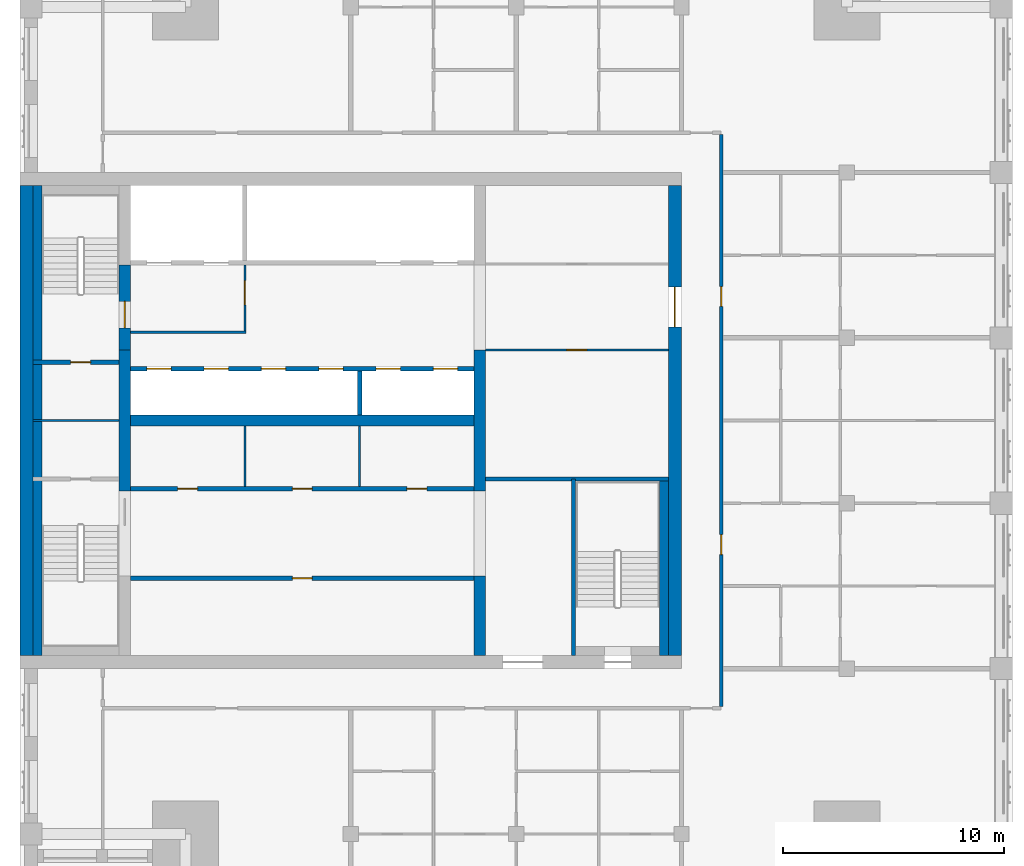
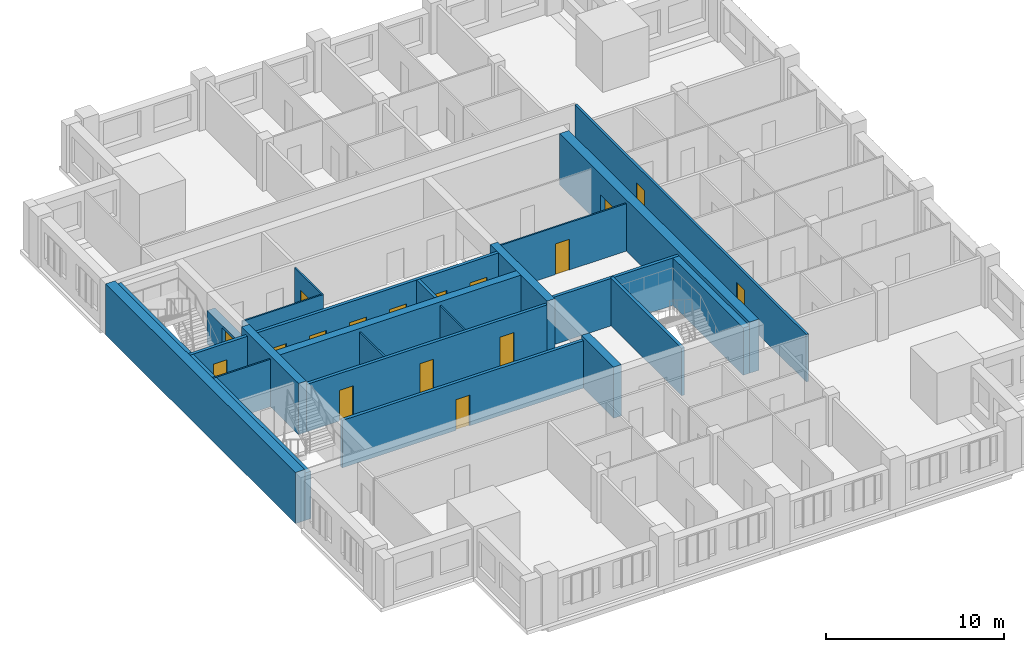
# One storey, part 4 of 10: 23 walls, 17 doors, 17 openings.
"""IFC4 building model written with IfcOpenShell, lengths in metres."""

from ifc_helpers import new_model, si_unit, direction, frame, frame_2d, origin, place, context, subcontext, project, spatial, rectangle, extrude, material, layer, layer_set, type_object, element, fill, save


model = new_model("IFC4")

# Units and contexts
model_context = context("Model", 3, precision=1e-05, world=origin(), true_north=direction((0.0, 1.0)))
body_context = subcontext(model_context, "Body", "Model", "MODEL_VIEW")
ifc_project = project(units=[si_unit("LENGTHUNIT", "METRE"), si_unit("AREAUNIT", "SQUARE_METRE"), si_unit("VOLUMEUNIT", "CUBIC_METRE"), si_unit("PLANEANGLEUNIT", "RADIAN"), si_unit("MASSUNIT", "GRAM", prefix="KILO")], contexts=[model_context])

# Site, building, storey
site_placement = place(None, origin())
site = spatial("IfcSite", under=ifc_project, at=site_placement, CompositionType="ELEMENT")
building_placement = place(site_placement, origin())
building = spatial("IfcBuilding", under=site, at=building_placement, Name="Tamorin Gate", CompositionType="ELEMENT")
storey_placement = place(building_placement, frame((0.0, 0.0, 273.199951171875)))
storey = spatial("IfcBuildingStorey", under=building, at=storey_placement, Name="L68", CompositionType="ELEMENT", Elevation=273.199951171875)

# Wall, openings, doors
ifc_material_1 = material(Name="Gypsum board partition")
ifc_layer_1 = layer(ifc_material_1, 0.14990234375)
ifc_layer_set_1 = layer_set([ifc_layer_1], Name="Corridor wall 150")
wall_type_1 = type_object("IfcWallType", Name="Corridor wall 150", PredefinedType="PARTITIONING", material=ifc_layer_set_1)
wall_1_placement = place(storey_placement, frame((61.800048828125, 58.27490234375, 0.0), z_axis=(0.0, 0.0, 1.0), x_axis=(0.0, 1.0, 0.0)))
wall_1 = element("IfcWall", 1, at=wall_1_placement, inside=storey, type_object=wall_type_1, Name="Corridor wall 150", PredefinedType="PARTITIONING", context=body_context, shape_type="SweptSolid", body=[
    extrude(rectangle(XDim=25.9501953125, YDim=0.14990234375, at=frame_2d((12.97509765625, 0.0))), origin(), (0.0, 0.0, 1.0), 3.25),
])
opening_1_placement = place(wall_1_placement, frame((6.89990234375, 0.0, 0.0)))
opening_1 = element("IfcOpeningElement", 2, at=opening_1_placement, cuts=wall_1, Name="Opening DR10030", PredefinedType="OPENING", context=body_context, shape_type="SweptSolid", body=[
    extrude(rectangle(XDim=0.89990234375, YDim=2.10009765625, at=frame_2d((0.449951171875, 1.050048828125))), frame((0.0, 0.0849609375, 0.0), z_axis=(0.0, -1.0, 0.0), x_axis=(1.0, 0.0, 0.0)), (0.0, 0.0, 1.0), 0.169921875),
])
opening_2_placement = place(wall_1_placement, frame((18.14990234375, 0.0, 0.0)))
opening_2 = element("IfcOpeningElement", 3, at=opening_2_placement, cuts=wall_1, Name="Opening DR10039", PredefinedType="OPENING", context=body_context, shape_type="SweptSolid", body=[
    extrude(rectangle(XDim=0.89990234375, YDim=2.10009765625, at=frame_2d((0.449951171875, 1.050048828125))), frame((0.0, 0.0849609375, 0.0), z_axis=(0.0, -1.0, 0.0), x_axis=(1.0, 0.0, 0.0)), (0.0, 0.0, 1.0), 0.169921875),
])
ifc_material_2 = material(Name="Timber door leaf", Category="wood")
door_type_1 = type_object("IfcDoorType", Name="Door 900 x 2100 FD30S", OperationType="NOTDEFINED", PredefinedType="DOOR", material=ifc_material_2)
door_1_placement = place(opening_1_placement, origin())
door_1 = element("IfcDoor", 4, at=door_1_placement, inside=storey, type_object=door_type_1, Name="Door DR10030", OperationType="SINGLE_SWING_RIGHT", OverallHeight=2.10009765625, OverallWidth=0.89990234375, PredefinedType="DOOR", context=body_context, shape_type="SweptSolid", body=[
    extrude(rectangle(XDim=0.89990234375, YDim=2.10009765625, at=frame_2d((0.449951171875, 1.050048828125))), frame((0.0, 0.02490234375, 0.0), z_axis=(0.0, -1.0, 0.0), x_axis=(1.0, 0.0, 0.0)), (0.0, 0.0, 1.0), 0.050048828125),
])
fill(opening_1, door_1)
door_2_placement = place(opening_2_placement, origin())
door_2 = element("IfcDoor", 5, at=door_2_placement, inside=storey, type_object=door_type_1, Name="Door DR10039", OperationType="SINGLE_SWING_RIGHT", OverallHeight=2.10009765625, OverallWidth=0.89990234375, PredefinedType="DOOR", context=body_context, shape_type="SweptSolid", body=[
    extrude(rectangle(XDim=0.89990234375, YDim=2.10009765625, at=frame_2d((0.449951171875, 1.050048828125))), frame((0.0, 0.02490234375, 0.0), z_axis=(0.0, -1.0, 0.0), x_axis=(1.0, 0.0, 0.0)), (0.0, 0.0, 1.0), 0.050048828125),
])
fill(opening_2, door_2)

ifc_material_3 = material(Name="Concrete C32/40", Category="concrete")
ifc_layer_2 = layer(ifc_material_3, 0.199951171875)
ifc_layer_set_2 = layer_set([ifc_layer_2], Name="Lift lobby face wall 200 EI 120")
wall_type_2 = type_object("IfcWallType", Name="Lift lobby face wall 200 EI 120", PredefinedType="SOLIDWALL", material=ifc_layer_set_2)
wall_2_placement = place(storey_placement, frame((35.0, 73.60009765625, 0.0), z_axis=(0.0, 0.0, 1.0), x_axis=(1.0, 0.0, 0.0)))
wall_2 = element("IfcWall", 6, at=wall_2_placement, inside=storey, type_object=wall_type_2, Name="Lift lobby face wall", PredefinedType="SOLIDWALL", context=body_context, shape_type="SweptSolid", body=[
    extrude(rectangle(XDim=15.60009765625, YDim=0.199951171875, at=frame_2d((7.800048828125, 0.0))), origin(), (0.0, 0.0, 1.0), 3.5),
])
opening_3_placement = place(wall_2_placement, frame((0.75, 0.0, 0.0)))
opening_3 = element("IfcOpeningElement", 7, at=opening_3_placement, cuts=wall_2, Name="Opening LD11", PredefinedType="OPENING", context=body_context, shape_type="SweptSolid", body=[
    extrude(rectangle(XDim=1.10009765625, YDim=2.10009765625, at=frame_2d((0.550048828125, 1.050048828125))), frame((0.0, 0.10986328125, 0.0), z_axis=(0.0, -1.0, 0.0), x_axis=(1.0, 0.0, 0.0)), (0.0, 0.0, 1.0), 0.219970703125),
])
opening_4_placement = place(wall_2_placement, frame((3.35009765625, 0.0, 0.0)))
opening_4 = element("IfcOpeningElement", 8, at=opening_4_placement, cuts=wall_2, Name="Opening LD12", PredefinedType="OPENING", context=body_context, shape_type="SweptSolid", body=[
    extrude(rectangle(XDim=1.10009765625, YDim=2.10009765625, at=frame_2d((0.550048828125, 1.050048828125))), frame((0.0, 0.10986328125, 0.0), z_axis=(0.0, -1.0, 0.0), x_axis=(1.0, 0.0, 0.0)), (0.0, 0.0, 1.0), 0.219970703125),
])
opening_5_placement = place(wall_2_placement, frame((5.949951171875, 0.0, 0.0)))
opening_5 = element("IfcOpeningElement", 9, at=opening_5_placement, cuts=wall_2, Name="Opening LD13", PredefinedType="OPENING", context=body_context, shape_type="SweptSolid", body=[
    extrude(rectangle(XDim=1.10009765625, YDim=2.10009765625, at=frame_2d((0.550048828125, 1.050048828125))), frame((0.0, 0.10986328125, 0.0), z_axis=(0.0, -1.0, 0.0), x_axis=(1.0, 0.0, 0.0)), (0.0, 0.0, 1.0), 0.219970703125),
])
opening_6_placement = place(wall_2_placement, frame((8.550048828125, 0.0, 0.0)))
opening_6 = element("IfcOpeningElement", 10, at=opening_6_placement, cuts=wall_2, Name="Opening LD14", PredefinedType="OPENING", context=body_context, shape_type="SweptSolid", body=[
    extrude(rectangle(XDim=1.10009765625, YDim=2.10009765625, at=frame_2d((0.550048828125, 1.050048828125))), frame((0.0, 0.10986328125, 0.0), z_axis=(0.0, -1.0, 0.0), x_axis=(1.0, 0.0, 0.0)), (0.0, 0.0, 1.0), 0.219970703125),
])
opening_7_placement = place(wall_2_placement, frame((11.14990234375, 0.0, 0.0)))
opening_7 = element("IfcOpeningElement", 11, at=opening_7_placement, cuts=wall_2, Name="Opening LD15", PredefinedType="OPENING", context=body_context, shape_type="SweptSolid", body=[
    extrude(rectangle(XDim=1.10009765625, YDim=2.10009765625, at=frame_2d((0.550048828125, 1.050048828125))), frame((0.0, 0.10986328125, 0.0), z_axis=(0.0, -1.0, 0.0), x_axis=(1.0, 0.0, 0.0)), (0.0, 0.0, 1.0), 0.219970703125),
])
opening_8_placement = place(wall_2_placement, frame((13.75, 0.0, 0.0)))
opening_8 = element("IfcOpeningElement", 12, at=opening_8_placement, cuts=wall_2, Name="Opening LD16", PredefinedType="OPENING", context=body_context, shape_type="SweptSolid", body=[
    extrude(rectangle(XDim=1.10009765625, YDim=2.10009765625, at=frame_2d((0.550048828125, 1.050048828125))), frame((0.0, 0.10986328125, 0.0), z_axis=(0.0, -1.0, 0.0), x_axis=(1.0, 0.0, 0.0)), (0.0, 0.0, 1.0), 0.219970703125),
])
ifc_material_4 = material(Name="Stainless steel sliding door", Category="steel")
door_type_2 = type_object("IfcDoorType", Name="Lift landing door 1100 x 2100 E 90", OperationType="DOUBLE_DOOR_SLIDING", PredefinedType="DOOR", material=ifc_material_4)
door_3_placement = place(opening_3_placement, origin())
door_3 = element("IfcDoor", 13, at=door_3_placement, inside=storey, type_object=door_type_2, Name="HR1 landing door", OperationType="DOUBLE_DOOR_SLIDING", OverallHeight=2.10009765625, OverallWidth=1.10009765625, PredefinedType="DOOR", context=body_context, shape_type="SweptSolid", body=[
    extrude(rectangle(XDim=1.10009765625, YDim=2.10009765625, at=frame_2d((0.550048828125, 1.050048828125))), frame((0.0, 0.02490234375, 0.0), z_axis=(0.0, -1.0, 0.0), x_axis=(1.0, 0.0, 0.0)), (0.0, 0.0, 1.0), 0.050048828125),
])
fill(opening_3, door_3)
door_4_placement = place(opening_4_placement, origin())
door_4 = element("IfcDoor", 14, at=door_4_placement, inside=storey, type_object=door_type_2, Name="HR2 landing door", OperationType="DOUBLE_DOOR_SLIDING", OverallHeight=2.10009765625, OverallWidth=1.10009765625, PredefinedType="DOOR", context=body_context, shape_type="SweptSolid", body=[
    extrude(rectangle(XDim=1.10009765625, YDim=2.10009765625, at=frame_2d((0.550048828125, 1.050048828125))), frame((0.0, 0.02490234375, 0.0), z_axis=(0.0, -1.0, 0.0), x_axis=(1.0, 0.0, 0.0)), (0.0, 0.0, 1.0), 0.050048828125),
])
fill(opening_4, door_4)
door_5_placement = place(opening_5_placement, origin())
door_5 = element("IfcDoor", 15, at=door_5_placement, inside=storey, type_object=door_type_2, Name="HR3 landing door", OperationType="DOUBLE_DOOR_SLIDING", OverallHeight=2.10009765625, OverallWidth=1.10009765625, PredefinedType="DOOR", context=body_context, shape_type="SweptSolid", body=[
    extrude(rectangle(XDim=1.10009765625, YDim=2.10009765625, at=frame_2d((0.550048828125, 1.050048828125))), frame((0.0, 0.02490234375, 0.0), z_axis=(0.0, -1.0, 0.0), x_axis=(1.0, 0.0, 0.0)), (0.0, 0.0, 1.0), 0.050048828125),
])
fill(opening_5, door_5)
door_6_placement = place(opening_6_placement, origin())
door_6 = element("IfcDoor", 16, at=door_6_placement, inside=storey, type_object=door_type_2, Name="HR4 landing door", OperationType="DOUBLE_DOOR_SLIDING", OverallHeight=2.10009765625, OverallWidth=1.10009765625, PredefinedType="DOOR", context=body_context, shape_type="SweptSolid", body=[
    extrude(rectangle(XDim=1.10009765625, YDim=2.10009765625, at=frame_2d((0.550048828125, 1.050048828125))), frame((0.0, 0.02490234375, 0.0), z_axis=(0.0, -1.0, 0.0), x_axis=(1.0, 0.0, 0.0)), (0.0, 0.0, 1.0), 0.050048828125),
])
fill(opening_6, door_6)
door_7_placement = place(opening_7_placement, origin())
door_7 = element("IfcDoor", 17, at=door_7_placement, inside=storey, type_object=door_type_2, Name="HR5 landing door", OperationType="DOUBLE_DOOR_SLIDING", OverallHeight=2.10009765625, OverallWidth=1.10009765625, PredefinedType="DOOR", context=body_context, shape_type="SweptSolid", body=[
    extrude(rectangle(XDim=1.10009765625, YDim=2.10009765625, at=frame_2d((0.550048828125, 1.050048828125))), frame((0.0, 0.02490234375, 0.0), z_axis=(0.0, -1.0, 0.0), x_axis=(1.0, 0.0, 0.0)), (0.0, 0.0, 1.0), 0.050048828125),
])
fill(opening_7, door_7)
door_8_placement = place(opening_8_placement, origin())
door_8 = element("IfcDoor", 18, at=door_8_placement, inside=storey, type_object=door_type_2, Name="HR6 landing door", OperationType="DOUBLE_DOOR_SLIDING", OverallHeight=2.10009765625, OverallWidth=1.10009765625, PredefinedType="DOOR", context=body_context, shape_type="SweptSolid", body=[
    extrude(rectangle(XDim=1.10009765625, YDim=2.10009765625, at=frame_2d((0.550048828125, 1.050048828125))), frame((0.0, 0.02490234375, 0.0), z_axis=(0.0, -1.0, 0.0), x_axis=(1.0, 0.0, 0.0)), (0.0, 0.0, 1.0), 0.050048828125),
])
fill(opening_8, door_8)

# Walls
ifc_layer_3 = layer(ifc_material_3, 0.199951171875)
ifc_layer_set_3 = layer_set([ifc_layer_3], Name="Lift shaft wall 200 EI 120")
wall_type_3 = type_object("IfcWallType", Name="Lift shaft wall 200 EI 120", PredefinedType="SOLIDWALL", material=ifc_layer_set_3)
wall_3_placement = place(storey_placement, frame((45.39990234375, 71.5, 0.0), z_axis=(0.0, 0.0, 1.0), x_axis=(0.0, 1.0, 0.0)))
element("IfcWall", 19, at=wall_3_placement, inside=storey, type_object=wall_type_3, Name="Lift shaft wall", PredefinedType="SOLIDWALL", context=body_context, shape_type="SweptSolid", body=[
    extrude(rectangle(XDim=2.0, YDim=0.199951171875, at=frame_2d((1.0, 0.0))), origin(), (0.0, 0.0, 1.0), 3.5),
])
ifc_material_5 = material(Name="Fire-rated gypsum board partition")
ifc_layer_4 = layer(ifc_material_5, 0.10009765625)
ifc_layer_set_4 = layer_set([ifc_layer_4], Name="Lobby wall 100 EI 60")
wall_type_4 = type_object("IfcWallType", Name="Lobby wall 100 EI 60", PredefinedType="PARTITIONING", material=ifc_layer_set_4)
wall_4_placement = place(storey_placement, frame((35.0, 75.25, 0.0), z_axis=(0.0, 0.0, 1.0), x_axis=(1.0, 0.0, 0.0)))
element("IfcWall", 20, at=wall_4_placement, inside=storey, type_object=wall_type_4, Name="Firefighting lobby wall", PredefinedType="PARTITIONING", context=body_context, shape_type="SweptSolid", body=[
    extrude(rectangle(XDim=5.25, YDim=0.10009765625, at=frame_2d((2.625, 0.0))), origin(), (0.0, 0.0, 1.0), 3.25),
])

# Wall, opening, door
wall_5_placement = place(storey_placement, frame((40.199951171875, 75.300048828125, 0.0), z_axis=(0.0, 0.0, 1.0), x_axis=(0.0, 1.0, 0.0)))
wall_5 = element("IfcWall", 21, at=wall_5_placement, inside=storey, type_object=wall_type_4, Name="Firefighting lobby wall", PredefinedType="PARTITIONING", context=body_context, shape_type="SweptSolid", body=[
    extrude(rectangle(XDim=3.0, YDim=0.10009765625, at=frame_2d((1.5, 0.0))), origin(), (0.0, 0.0, 1.0), 3.25),
])
opening_9_placement = place(wall_5_placement, frame((1.199951171875, 0.0, 0.0)))
opening_9 = element("IfcOpeningElement", 22, at=opening_9_placement, cuts=wall_5, Name="Opening DF1", PredefinedType="OPENING", context=body_context, shape_type="SweptSolid", body=[
    extrude(rectangle(XDim=1.10009765625, YDim=2.10009765625, at=frame_2d((0.550048828125, 1.050048828125))), frame((0.0, 0.06005859375, 0.0), z_axis=(0.0, -1.0, 0.0), x_axis=(1.0, 0.0, 0.0)), (0.0, 0.0, 1.0), 0.1201171875),
])
ifc_material_6 = material(Name="Steel fire door", Category="steel")
door_type_3 = type_object("IfcDoorType", Name="Firefighting lobby door 1100 x 2100 EI 90", OperationType="SINGLE_SWING_LEFT", PredefinedType="DOOR", material=ifc_material_6)
door_9_placement = place(opening_9_placement, origin())
door_9 = element("IfcDoor", 23, at=door_9_placement, inside=storey, type_object=door_type_3, Name="Firefighting lobby door", OperationType="SINGLE_SWING_LEFT", OverallHeight=2.10009765625, OverallWidth=1.10009765625, PredefinedType="DOOR", context=body_context, shape_type="SweptSolid", body=[
    extrude(rectangle(XDim=1.10009765625, YDim=2.10009765625, at=frame_2d((0.550048828125, 1.050048828125))), frame((0.0, 0.02490234375, 0.0), z_axis=(0.0, -1.0, 0.0), x_axis=(1.0, 0.0, 0.0)), (0.0, 0.0, 1.0), 0.050048828125),
])
fill(opening_9, door_9)

# Walls
ifc_material_7 = material(Name="Concrete C50/60", Category="concrete")
ifc_layer_5 = layer(ifc_material_7, 0.5)
ifc_layer_set_5 = layer_set([ifc_layer_5], Name="RC core internal wall 500 C50/60")
wall_type_5 = type_object("IfcWallType", Name="RC core internal wall 500 C50/60", PredefinedType="SHEAR", material=ifc_layer_set_5)
wall_6_placement = place(storey_placement, frame((35.0, 71.25, 0.0), z_axis=(0.0, 0.0, 1.0), x_axis=(1.0, 0.0, 0.0)))
element("IfcWall", 24, at=wall_6_placement, inside=storey, type_object=wall_type_5, Name="Core spine wall L68", PredefinedType="SHEAR", context=body_context, shape_type="SweptSolid", body=[
    extrude(rectangle(XDim=15.60009765625, YDim=0.5, at=frame_2d((7.800048828125, 0.0))), origin(), (0.0, 0.0, 1.0), 3.5),
])
wall_7_placement = place(storey_placement, frame((34.75, 68.050048828125, 0.0), z_axis=(0.0, 0.0, 1.0), x_axis=(0.0, 1.0, 0.0)))
element("IfcWall", 25, at=wall_7_placement, inside=storey, type_object=wall_type_5, Name="Core cross wall L68", PredefinedType="SHEAR", context=body_context, shape_type="SweptSolid", body=[
    extrude(rectangle(XDim=6.39990234375, YDim=0.5, at=frame_2d((3.199951171875, 0.0))), origin(), (0.0, 0.0, 1.0), 3.5),
])
wall_8_placement = place(storey_placement, frame((50.85009765625, 60.60009765625, 0.0), z_axis=(0.0, 0.0, 1.0), x_axis=(0.0, 1.0, 0.0)))
element("IfcWall", 26, at=wall_8_placement, inside=storey, type_object=wall_type_5, Name="Core cross wall L68", PredefinedType="SHEAR", context=body_context, shape_type="SweptSolid", body=[
    extrude(rectangle(XDim=3.599853515625, YDim=0.5, at=frame_2d((1.7998046875, 0.0))), origin(), (0.0, 0.0, 1.0), 3.5),
])
wall_9_placement = place(storey_placement, frame((50.85009765625, 68.050048828125, 0.0), z_axis=(0.0, 0.0, 1.0), x_axis=(0.0, 1.0, 0.0)))
element("IfcWall", 27, at=wall_9_placement, inside=storey, type_object=wall_type_5, Name="Core cross wall L68", PredefinedType="SHEAR", context=body_context, shape_type="SweptSolid", body=[
    extrude(rectangle(XDim=6.39990234375, YDim=0.5, at=frame_2d((3.199951171875, 0.0))), origin(), (0.0, 0.0, 1.0), 3.5),
])
ifc_layer_6 = layer(ifc_material_7, 0.60009765625)
ifc_layer_set_6 = layer_set([ifc_layer_6], Name="RC core wall 600 C50/60")
wall_type_6 = type_object("IfcWallType", Name="RC core wall 600 C50/60", PredefinedType="SHEAR", material=ifc_layer_set_6)
wall_10_placement = place(storey_placement, frame((30.300048828125, 60.60009765625, 0.0), z_axis=(0.0, 0.0, 1.0), x_axis=(0.0, 1.0, 0.0)))
element("IfcWall", 28, at=wall_10_placement, inside=storey, type_object=wall_type_6, Name="Core wall L68", PredefinedType="SHEAR", context=body_context, shape_type="SweptSolid", body=[
    extrude(rectangle(XDim=21.2998046875, YDim=0.60009765625, at=frame_2d((10.64990234375, 0.0))), origin(), (0.0, 0.0, 1.0), 3.5),
])

# Wall, opening, door
wall_11_placement = place(storey_placement, frame((59.699951171875, 60.60009765625, 0.0), z_axis=(0.0, 0.0, 1.0), x_axis=(0.0, 1.0, 0.0)))
wall_11 = element("IfcWall", 29, at=wall_11_placement, inside=storey, type_object=wall_type_6, Name="Core wall L68", PredefinedType="SHEAR", context=body_context, shape_type="SweptSolid", body=[
    extrude(rectangle(XDim=21.2998046875, YDim=0.60009765625, at=frame_2d((10.64990234375, 0.0))), origin(), (0.0, 0.0, 1.0), 3.5),
])
opening_10_placement = place(wall_11_placement, frame((14.89990234375, 0.0, 0.0)))
opening_10 = element("IfcOpeningElement", 30, at=opening_10_placement, cuts=wall_11, Name="Opening DE1", PredefinedType="OPENING", context=body_context, shape_type="SweptSolid", body=[
    extrude(rectangle(XDim=1.800048828125, YDim=2.10009765625, at=frame_2d((0.89990234375, 1.050048828125))), frame((0.0, 0.31005859375, 0.0), z_axis=(0.0, -1.0, 0.0), x_axis=(1.0, 0.0, 0.0)), (0.0, 0.0, 1.0), 0.6201171875),
])
door_type_4 = type_object("IfcDoorType", Name="Lobby exit double door 1800 x 2100 EI 60", OperationType="DOUBLE_DOOR_SINGLE_SWING", PredefinedType="DOOR", material=ifc_material_6)
door_10_placement = place(opening_10_placement, origin())
door_10 = element("IfcDoor", 31, at=door_10_placement, inside=storey, type_object=door_type_4, Name="Lift lobby B exit door", OperationType="DOUBLE_DOOR_SINGLE_SWING", OverallHeight=2.10009765625, OverallWidth=1.800048828125, PredefinedType="DOOR", context=body_context, shape_type="SweptSolid", body=[
    extrude(rectangle(XDim=1.800048828125, YDim=2.10009765625, at=frame_2d((0.89990234375, 1.050048828125))), frame((0.0, 0.02490234375, 0.0), z_axis=(0.0, -1.0, 0.0), x_axis=(1.0, 0.0, 0.0)), (0.0, 0.0, 1.0), 0.050048828125),
])
fill(opening_10, door_10)

# Wall
ifc_layer_7 = layer(ifc_material_5, 0.10009765625)
ifc_layer_set_7 = layer_set([ifc_layer_7], Name="Riser partition 100 EI 120")
wall_type_7 = type_object("IfcWallType", Name="Riser partition 100 EI 120", PredefinedType="PARTITIONING", material=ifc_layer_set_7)
wall_12_placement = place(storey_placement, frame((30.60009765625, 71.25, 0.0), z_axis=(0.0, 0.0, 1.0), x_axis=(1.0, 0.0, 0.0)))
element("IfcWall", 32, at=wall_12_placement, inside=storey, type_object=wall_type_7, Name="Riser partition", PredefinedType="PARTITIONING", context=body_context, shape_type="SweptSolid", body=[
    extrude(rectangle(XDim=3.89990234375, YDim=0.10009765625, at=frame_2d((1.949951171875, 0.0))), origin(), (0.0, 0.0, 1.0), 3.25),
])

# Wall, opening, door
ifc_layer_8 = layer(ifc_material_1, 0.199951171875)
ifc_layer_set_8 = layer_set([ifc_layer_8], Name="Service room face wall 200 EI 60")
wall_type_8 = type_object("IfcWallType", Name="Service room face wall 200 EI 60", PredefinedType="PARTITIONING", material=ifc_layer_set_8)
wall_13_placement = place(storey_placement, frame((35.0, 64.10009765625, 0.0), z_axis=(0.0, 0.0, 1.0), x_axis=(1.0, 0.0, 0.0)))
wall_13 = element("IfcWall", 33, at=wall_13_placement, inside=storey, type_object=wall_type_8, Name="Service room face wall", PredefinedType="PARTITIONING", context=body_context, shape_type="SweptSolid", body=[
    extrude(rectangle(XDim=15.60009765625, YDim=0.199951171875, at=frame_2d((7.800048828125, 0.0))), origin(), (0.0, 0.0, 1.0), 3.25),
])
opening_11_placement = place(wall_13_placement, frame((7.35009765625, 0.0, 0.0)))
opening_11 = element("IfcOpeningElement", 34, at=opening_11_placement, cuts=wall_13, Name="Opening DK1", PredefinedType="OPENING", context=body_context, shape_type="SweptSolid", body=[
    extrude(rectangle(XDim=0.89990234375, YDim=2.10009765625, at=frame_2d((0.449951171875, 1.050048828125))), frame((0.0, 0.10986328125, 0.0), z_axis=(0.0, -1.0, 0.0), x_axis=(1.0, 0.0, 0.0)), (0.0, 0.0, 1.0), 0.219970703125),
])
ifc_material_8 = material(Name="Timber fire door", Category="wood")
door_type_5 = type_object("IfcDoorType", Name="Service room door 900 x 2100 EI 60", OperationType="SINGLE_SWING_LEFT", PredefinedType="DOOR", material=ifc_material_8)
door_11_placement = place(opening_11_placement, origin())
door_11 = element("IfcDoor", 35, at=door_11_placement, inside=storey, type_object=door_type_5, Name="Door Club storage room", OperationType="SINGLE_SWING_RIGHT", OverallHeight=2.10009765625, OverallWidth=0.89990234375, PredefinedType="DOOR", context=body_context, shape_type="SweptSolid", body=[
    extrude(rectangle(XDim=0.89990234375, YDim=2.10009765625, at=frame_2d((0.449951171875, 1.050048828125))), frame((0.0, 0.02490234375, 0.0), z_axis=(0.0, -1.0, 0.0), x_axis=(1.0, 0.0, 0.0)), (0.0, 0.0, 1.0), 0.050048828125),
])
fill(opening_11, door_11)

# Wall, openings, doors
wall_14_placement = place(storey_placement, frame((35.0, 68.14990234375, 0.0), z_axis=(0.0, 0.0, 1.0), x_axis=(1.0, 0.0, 0.0)))
wall_14 = element("IfcWall", 36, at=wall_14_placement, inside=storey, type_object=wall_type_8, Name="Service room face wall", PredefinedType="PARTITIONING", context=body_context, shape_type="SweptSolid", body=[
    extrude(rectangle(XDim=15.60009765625, YDim=0.199951171875, at=frame_2d((7.800048828125, 0.0))), origin(), (0.0, 0.0, 1.0), 3.25),
])
opening_12_placement = place(wall_14_placement, frame((2.14990234375, 0.0, 0.0)))
opening_12 = element("IfcOpeningElement", 37, at=opening_12_placement, cuts=wall_14, Name="Opening DK1", PredefinedType="OPENING", context=body_context, shape_type="SweptSolid", body=[
    extrude(rectangle(XDim=0.89990234375, YDim=2.10009765625, at=frame_2d((0.449951171875, 1.050048828125))), frame((0.0, 0.10986328125, 0.0), z_axis=(0.0, -1.0, 0.0), x_axis=(1.0, 0.0, 0.0)), (0.0, 0.0, 1.0), 0.219970703125),
])
opening_13_placement = place(wall_14_placement, frame((7.35009765625, 0.0, 0.0)))
opening_13 = element("IfcOpeningElement", 38, at=opening_13_placement, cuts=wall_14, Name="Opening DK1", PredefinedType="OPENING", context=body_context, shape_type="SweptSolid", body=[
    extrude(rectangle(XDim=0.89990234375, YDim=2.10009765625, at=frame_2d((0.449951171875, 1.050048828125))), frame((0.0, 0.10986328125, 0.0), z_axis=(0.0, -1.0, 0.0), x_axis=(1.0, 0.0, 0.0)), (0.0, 0.0, 1.0), 0.219970703125),
])
opening_14_placement = place(wall_14_placement, frame((12.550048828125, 0.0, 0.0)))
opening_14 = element("IfcOpeningElement", 39, at=opening_14_placement, cuts=wall_14, Name="Opening DK1", PredefinedType="OPENING", context=body_context, shape_type="SweptSolid", body=[
    extrude(rectangle(XDim=0.89990234375, YDim=2.10009765625, at=frame_2d((0.449951171875, 1.050048828125))), frame((0.0, 0.10986328125, 0.0), z_axis=(0.0, -1.0, 0.0), x_axis=(1.0, 0.0, 0.0)), (0.0, 0.0, 1.0), 0.219970703125),
])
door_12_placement = place(opening_12_placement, origin())
door_12 = element("IfcDoor", 40, at=door_12_placement, inside=storey, type_object=door_type_5, Name="Door Pantry", OperationType="SINGLE_SWING_RIGHT", OverallHeight=2.10009765625, OverallWidth=0.89990234375, PredefinedType="DOOR", context=body_context, shape_type="SweptSolid", body=[
    extrude(rectangle(XDim=0.89990234375, YDim=2.10009765625, at=frame_2d((0.449951171875, 1.050048828125))), frame((0.0, 0.02490234375, 0.0), z_axis=(0.0, -1.0, 0.0), x_axis=(1.0, 0.0, 0.0)), (0.0, 0.0, 1.0), 0.050048828125),
])
fill(opening_12, door_12)
door_13_placement = place(opening_13_placement, origin())
door_13 = element("IfcDoor", 41, at=door_13_placement, inside=storey, type_object=door_type_5, Name="Door Club store", OperationType="SINGLE_SWING_LEFT", OverallHeight=2.10009765625, OverallWidth=0.89990234375, PredefinedType="DOOR", context=body_context, shape_type="SweptSolid", body=[
    extrude(rectangle(XDim=0.89990234375, YDim=2.10009765625, at=frame_2d((0.449951171875, 1.050048828125))), frame((0.0, 0.02490234375, 0.0), z_axis=(0.0, -1.0, 0.0), x_axis=(1.0, 0.0, 0.0)), (0.0, 0.0, 1.0), 0.050048828125),
])
fill(opening_13, door_13)
door_14_placement = place(opening_14_placement, origin())
door_14 = element("IfcDoor", 42, at=door_14_placement, inside=storey, type_object=door_type_5, Name="Door IT room", OperationType="SINGLE_SWING_RIGHT", OverallHeight=2.10009765625, OverallWidth=0.89990234375, PredefinedType="DOOR", context=body_context, shape_type="SweptSolid", body=[
    extrude(rectangle(XDim=0.89990234375, YDim=2.10009765625, at=frame_2d((0.449951171875, 1.050048828125))), frame((0.0, 0.02490234375, 0.0), z_axis=(0.0, -1.0, 0.0), x_axis=(1.0, 0.0, 0.0)), (0.0, 0.0, 1.0), 0.050048828125),
])
fill(opening_14, door_14)

# Walls
ifc_layer_9 = layer(ifc_material_1, 0.10009765625)
ifc_layer_set_9 = layer_set([ifc_layer_9], Name="Service room partition 100 EI 60")
wall_type_9 = type_object("IfcWallType", Name="Service room partition 100 EI 60", PredefinedType="PARTITIONING", material=ifc_layer_set_9)
for number, where, z_axis, x_axis, name in (
    (43, (40.199951171875, 68.25, 0.0), (0.0, 0.0, 1.0), (0.0, 1.0, 0.0), "Service room partition"),
    (44, (45.39990234375, 68.25, 0.0), (0.0, 0.0, 1.0), (0.0, 1.0, 0.0), "Service room partition"),
):
    element("IfcWall", number, at=place(storey_placement, frame(where, z_axis=z_axis, x_axis=x_axis)), inside=storey, type_object=wall_type_9, Name=name, PredefinedType="PARTITIONING", context=body_context, shape_type="SweptSolid", body=[
        extrude(rectangle(XDim=2.75, YDim=0.10009765625, at=frame_2d((1.375, 0.0))), origin(), (0.0, 0.0, 1.0), 3.25),
    ])

# Wall, opening, door
wall_15_placement = place(storey_placement, frame((51.10009765625, 74.449951171875, 0.0), z_axis=(0.0, 0.0, 1.0), x_axis=(1.0, 0.0, 0.0)))
wall_15 = element("IfcWall", 45, at=wall_15_placement, inside=storey, type_object=wall_type_9, Name="Service room wall", PredefinedType="PARTITIONING", context=body_context, shape_type="SweptSolid", body=[
    extrude(rectangle(XDim=8.2998046875, YDim=0.10009765625, at=frame_2d((4.14990234375, 0.0))), origin(), (0.0, 0.0, 1.0), 3.25),
])
opening_15_placement = place(wall_15_placement, frame((3.699951171875, 0.0, 0.0)))
opening_15 = element("IfcOpeningElement", 46, at=opening_15_placement, cuts=wall_15, Name="Opening DR1", PredefinedType="OPENING", context=body_context, shape_type="SweptSolid", body=[
    extrude(rectangle(XDim=0.89990234375, YDim=2.10009765625, at=frame_2d((0.449951171875, 1.050048828125))), frame((0.0, 0.06005859375, 0.0), z_axis=(0.0, -1.0, 0.0), x_axis=(1.0, 0.0, 0.0)), (0.0, 0.0, 1.0), 0.1201171875),
])
door_type_6 = type_object("IfcDoorType", Name="Riser access door 900 x 2100 EI 120", OperationType="SINGLE_SWING_LEFT", PredefinedType="DOOR", material=ifc_material_6)
door_15_placement = place(opening_15_placement, origin())
door_15 = element("IfcDoor", 47, at=door_15_placement, inside=storey, type_object=door_type_6, Name="Duct riser door", OperationType="SINGLE_SWING_RIGHT", OverallHeight=2.10009765625, OverallWidth=0.89990234375, PredefinedType="DOOR", context=body_context, shape_type="SweptSolid", body=[
    extrude(rectangle(XDim=0.89990234375, YDim=2.10009765625, at=frame_2d((0.449951171875, 1.050048828125))), frame((0.0, 0.02490234375, 0.0), z_axis=(0.0, -1.0, 0.0), x_axis=(1.0, 0.0, 0.0)), (0.0, 0.0, 1.0), 0.050048828125),
])
fill(opening_15, door_15)

ifc_material_9 = material(Name="Concrete C40/50", Category="concrete")
ifc_layer_10 = layer(ifc_material_9, 0.199951171875)
ifc_layer_set_10 = layer_set([ifc_layer_10], Name="Stair enclosure wall 200 EI 120 C40/50")
wall_type_10 = type_object("IfcWallType", Name="Stair enclosure wall 200 EI 120 C40/50", PredefinedType="SOLIDWALL", material=ifc_layer_set_10)
wall_16_placement = place(storey_placement, frame((30.60009765625, 73.89990234375, 0.0), z_axis=(0.0, 0.0, 1.0), x_axis=(1.0, 0.0, 0.0)))
wall_16 = element("IfcWall", 48, at=wall_16_placement, inside=storey, type_object=wall_type_10, Name="Stair enclosure wall", PredefinedType="SOLIDWALL", context=body_context, shape_type="SweptSolid", body=[
    extrude(rectangle(XDim=3.89990234375, YDim=0.199951171875, at=frame_2d((1.949951171875, 0.0))), origin(), (0.0, 0.0, 1.0), 3.25),
])
opening_16_placement = place(wall_16_placement, frame((1.699951171875, 0.0, 0.0)))
opening_16 = element("IfcOpeningElement", 49, at=opening_16_placement, cuts=wall_16, Name="Opening DR1", PredefinedType="OPENING", context=body_context, shape_type="SweptSolid", body=[
    extrude(rectangle(XDim=0.89990234375, YDim=2.10009765625, at=frame_2d((0.449951171875, 1.050048828125))), frame((0.0, 0.10986328125, 0.0), z_axis=(0.0, -1.0, 0.0), x_axis=(1.0, 0.0, 0.0)), (0.0, 0.0, 1.0), 0.219970703125),
])
door_16_placement = place(opening_16_placement, origin())
door_16 = element("IfcDoor", 50, at=door_16_placement, inside=storey, type_object=door_type_6, Name="Communications riser door", OperationType="SINGLE_SWING_RIGHT", OverallHeight=2.10009765625, OverallWidth=0.89990234375, PredefinedType="DOOR", context=body_context, shape_type="SweptSolid", body=[
    extrude(rectangle(XDim=0.89990234375, YDim=2.10009765625, at=frame_2d((0.449951171875, 1.050048828125))), frame((0.0, 0.02490234375, 0.0), z_axis=(0.0, -1.0, 0.0), x_axis=(1.0, 0.0, 0.0)), (0.0, 0.0, 1.0), 0.050048828125),
])
fill(opening_16, door_16)

# Walls
wall_17_placement = place(storey_placement, frame((55.10009765625, 60.60009765625, 0.0), z_axis=(0.0, 0.0, 1.0), x_axis=(0.0, 1.0, 0.0)))
element("IfcWall", 51, at=wall_17_placement, inside=storey, type_object=wall_type_10, Name="Stair enclosure wall", PredefinedType="SOLIDWALL", context=body_context, shape_type="SweptSolid", body=[
    extrude(rectangle(XDim=8.0, YDim=0.199951171875, at=frame_2d((4.0, 0.0))), origin(), (0.0, 0.0, 1.0), 3.25),
])
wall_18_placement = place(storey_placement, frame((51.10009765625, 68.60009765625, 0.0), z_axis=(0.0, 0.0, 1.0), x_axis=(1.0, 0.0, 0.0)))
element("IfcWall", 52, at=wall_18_placement, inside=storey, type_object=wall_type_10, Name="Stair enclosure wall", PredefinedType="SOLIDWALL", context=body_context, shape_type="SweptSolid", body=[
    extrude(rectangle(XDim=8.2998046875, YDim=0.199951171875, at=frame_2d((4.14990234375, 0.0))), origin(), (0.0, 0.0, 1.0), 3.25),
])
ifc_layer_11 = layer(ifc_material_7, 0.39990234375)
ifc_layer_set_11 = layer_set([ifc_layer_11], Name="Stair lining wall 400 EI 120 C50/60")
wall_type_11 = type_object("IfcWallType", Name="Stair lining wall 400 EI 120 C50/60", PredefinedType="SOLIDWALL", material=ifc_layer_set_11)
wall_19_placement = place(storey_placement, frame((30.800048828125, 60.60009765625, 0.0), z_axis=(0.0, 0.0, 1.0), x_axis=(0.0, 1.0, 0.0)))
element("IfcWall", 53, at=wall_19_placement, inside=storey, type_object=wall_type_11, Name="Stair lining wall", PredefinedType="SOLIDWALL", context=body_context, shape_type="SweptSolid", body=[
    extrude(rectangle(XDim=21.2998046875, YDim=0.39990234375, at=frame_2d((10.64990234375, 0.0))), origin(), (0.0, 0.0, 1.0), 3.25),
])
wall_20_placement = place(storey_placement, frame((59.199951171875, 60.60009765625, 0.0), z_axis=(0.0, 0.0, 1.0), x_axis=(0.0, 1.0, 0.0)))
element("IfcWall", 54, at=wall_20_placement, inside=storey, type_object=wall_type_11, Name="Stair lining wall", PredefinedType="SOLIDWALL", context=body_context, shape_type="SweptSolid", body=[
    extrude(rectangle(XDim=7.89990234375, YDim=0.39990234375, at=frame_2d((3.949951171875, 0.0))), origin(), (0.0, 0.0, 1.0), 3.25),
])

# Wall, opening, door
ifc_layer_12 = layer(ifc_material_3, 0.5)
ifc_layer_set_12 = layer_set([ifc_layer_12], Name="Stair lobby infill wall 500 EI 120")
wall_type_12 = type_object("IfcWallType", Name="Stair lobby infill wall 500 EI 120", PredefinedType="SOLIDWALL", material=ifc_layer_set_12)
wall_21_placement = place(storey_placement, frame((34.75, 74.449951171875, 0.0), z_axis=(0.0, 0.0, 1.0), x_axis=(0.0, 1.0, 0.0)))
wall_21 = element("IfcWall", 55, at=wall_21_placement, inside=storey, type_object=wall_type_12, Name="Stair lobby infill wall", PredefinedType="SOLIDWALL", context=body_context, shape_type="SweptSolid", body=[
    extrude(rectangle(XDim=3.85009765625, YDim=0.5, at=frame_2d((1.925048828125, 0.0))), origin(), (0.0, 0.0, 1.0), 2.300048828125),
])
opening_17_placement = place(wall_21_placement, frame((1.0, 0.0, 0.0)))
opening_17 = element("IfcOpeningElement", 56, at=opening_17_placement, cuts=wall_21, Name="Opening DS1", PredefinedType="OPENING", context=body_context, shape_type="SweptSolid", body=[
    extrude(rectangle(XDim=1.199951171875, YDim=2.10009765625, at=frame_2d((0.60009765625, 1.050048828125))), frame((0.0, 0.260009765625, 0.0), z_axis=(0.0, -1.0, 0.0), x_axis=(1.0, 0.0, 0.0)), (0.0, 0.0, 1.0), 0.52001953125),
])
door_type_7 = type_object("IfcDoorType", Name="Stair door 1200 x 2100 EI 90", OperationType="SINGLE_SWING_LEFT", PredefinedType="DOOR", material=ifc_material_6)
door_17_placement = place(opening_17_placement, origin())
door_17 = element("IfcDoor", 57, at=door_17_placement, inside=storey, type_object=door_type_7, Name="ST2 door", OperationType="SINGLE_SWING_RIGHT", OverallHeight=2.10009765625, OverallWidth=1.199951171875, PredefinedType="DOOR", context=body_context, shape_type="SweptSolid", body=[
    extrude(rectangle(XDim=1.199951171875, YDim=2.10009765625, at=frame_2d((0.60009765625, 1.050048828125))), frame((0.0, 0.02490234375, 0.0), z_axis=(0.0, -1.0, 0.0), x_axis=(1.0, 0.0, 0.0)), (0.0, 0.0, 1.0), 0.050048828125),
])
fill(opening_17, door_17)

save(model, "model.ifc")
